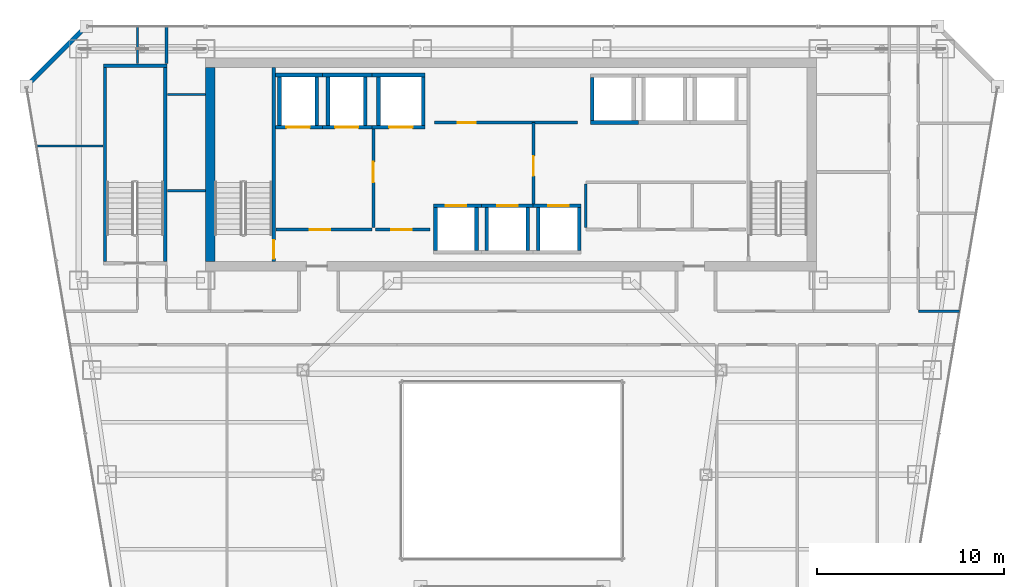
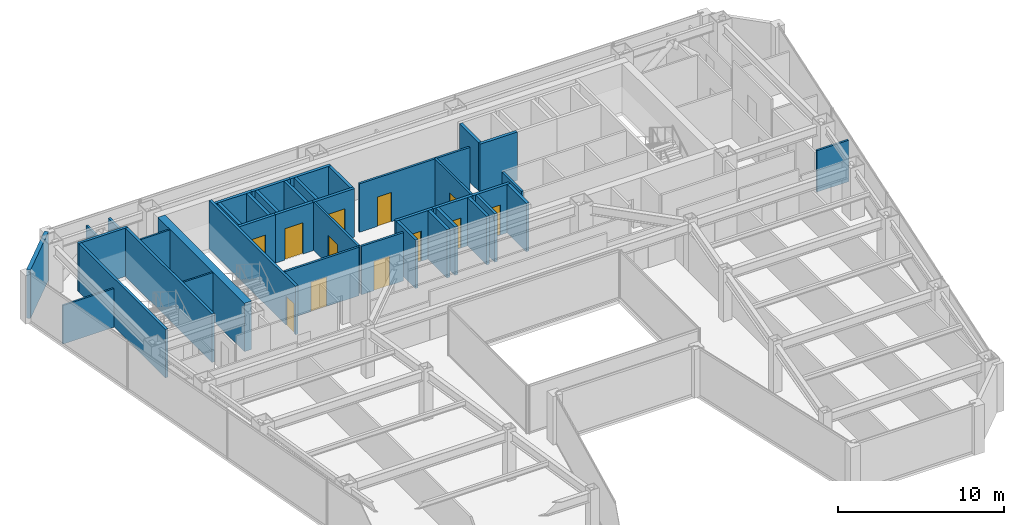
# One storey, part 30 of 35: 41 walls, 12 doors, 12 openings.
"""IFC4 building model written with IfcOpenShell, lengths in metres."""

from ifc_helpers import new_model, si_unit, direction, frame, frame_2d, origin, place, context, subcontext, project, spatial, rectangle, extrude, material, layer, layer_set, type_object, element, fill, save


model = new_model("IFC4")

# Units and contexts
model_context = context("Model", 3, precision=1e-05, world=origin(), true_north=direction((0.0, 1.0)))
body_context = subcontext(model_context, "Body", "Model", "MODEL_VIEW")
ifc_project = project(units=[si_unit("LENGTHUNIT", "METRE"), si_unit("AREAUNIT", "SQUARE_METRE"), si_unit("VOLUMEUNIT", "CUBIC_METRE"), si_unit("PLANEANGLEUNIT", "RADIAN"), si_unit("MASSUNIT", "GRAM", prefix="KILO")], contexts=[model_context])

# Site, building, storey
site_placement = place(None, origin())
site = spatial("IfcSite", under=ifc_project, at=site_placement, CompositionType="ELEMENT")
building_placement = place(site_placement, origin())
building = spatial("IfcBuilding", under=site, at=building_placement, Name="Saevonmaru Cultural Tower", CompositionType="ELEMENT")
storey_placement = place(building_placement, frame((0.0, 0.0, 175.199951171875)))
storey = spatial("IfcBuildingStorey", under=building, at=storey_placement, Name="L39", CompositionType="ELEMENT", Elevation=175.199951171875)

# Wall
ifc_material_1 = material(Name="Concrete C60/75", Category="concrete")
ifc_layer_1 = layer(ifc_material_1, 0.5, Name="Concrete C60/75")
ifc_layer_set_1 = layer_set([ifc_layer_1], Name="Concrete C60/75")
wall_type_1 = type_object("IfcWallType", Name="WL-CORE-500", PredefinedType="SHEAR", material=ifc_layer_set_1)
wall_1_placement = place(storey_placement, frame((13.85009765625, 43.39990234375, 0.0), z_axis=(0.0, 0.0, 1.0), x_axis=(0.0, 1.0, 0.0)))
element("IfcWall", 1, at=wall_1_placement, inside=storey, type_object=wall_type_1, Name="L39 Tower RC core shear wall W", PredefinedType="SHEAR", context=body_context, shape_type="SweptSolid", body=[
    extrude(rectangle(XDim=10.400146484375, YDim=0.5, at=frame_2d((5.2001953125, 0.0))), origin(), (0.0, 0.0, 1.0), 3.550048828125),
])

# Wall, opening, door
ifc_material_2 = material(Name="Gypsum Fireboard Partition", Category="gypsum")
ifc_layer_2 = layer(ifc_material_2, 0.14990234375, Name="Gypsum Fireboard Partition")
ifc_layer_set_2 = layer_set([ifc_layer_2], Name="Gypsum Fireboard Partition")
wall_type_2 = type_object("IfcWallType", Name="WL-CORE-PART-150", PredefinedType="PARTITIONING", material=ifc_layer_set_2)
wall_2_placement = place(storey_placement, frame((17.360107421875, 45.1201171875, 0.0), z_axis=(0.0, 0.0, 1.0), x_axis=(1.0, 0.0, 0.0)))
wall_2 = element("IfcWall", 2, at=wall_2_placement, inside=storey, type_object=wall_type_2, Name="L39 Firefighting Lift Lobby South Wall", PredefinedType="PARTITIONING", context=body_context, shape_type="SweptSolid", body=[
    extrude(rectangle(XDim=5.139892578125, YDim=0.14990234375, at=frame_2d((2.56982421875, 0.0))), origin(), (0.0, 0.0, 1.0), 3.550048828125),
])
opening_1_placement = place(wall_2_placement, frame((1.800048828125, 0.0, 0.0)))
opening_1 = element("IfcOpeningElement", 3, at=opening_1_placement, cuts=wall_2, Name="Opening FD-2", PredefinedType="OPENING", context=body_context, shape_type="SweptSolid", body=[
    extrude(rectangle(XDim=1.10009765625, YDim=2.14990234375, at=frame_2d((0.550048828125, 1.074951171875))), frame((0.0, 0.0849609375, 0.0), z_axis=(0.0, -1.0, 0.0), x_axis=(1.0, 0.0, 0.0)), (0.0, 0.0, 1.0), 0.169921875),
])
ifc_material_3 = material(Name="Satin Bronze Anodised Aluminium", Category="aluminium")
door_type_1 = type_object("IfcDoorType", Name="DR-FD60-1100", OperationType="SINGLE_SWING_LEFT", PredefinedType="DOOR", material=ifc_material_3)
door_1_placement = place(opening_1_placement, origin())
door_1 = element("IfcDoor", 4, at=door_1_placement, inside=storey, type_object=door_type_1, Name="L39 Firefighting Lift Lobby South Door", OperationType="SINGLE_SWING_LEFT", OverallHeight=2.14990234375, OverallWidth=1.10009765625, PredefinedType="DOOR", context=body_context, shape_type="SweptSolid", body=[
    extrude(rectangle(XDim=1.10009765625, YDim=2.14990234375, at=frame_2d((0.550048828125, 1.074951171875))), frame((0.0, 0.02490234375, 0.0), z_axis=(0.0, -1.0, 0.0), x_axis=(1.0, 0.0, 0.0)), (0.0, 0.0, 1.0), 0.050048828125),
])
fill(opening_1, door_1)

wall_3_placement = place(storey_placement, frame((22.580078125, 50.550048828125, 0.0), z_axis=(0.0, 0.0, 1.0), x_axis=(0.0, -1.0, 0.0)))
wall_3 = element("IfcWall", 5, at=wall_3_placement, inside=storey, type_object=wall_type_2, Name="L39 Firefighting Lift Lobby East Wall", PredefinedType="PARTITIONING", context=body_context, shape_type="SweptSolid", body=[
    extrude(rectangle(XDim=5.330078125, YDim=0.14990234375, at=frame_2d((2.6650390625, 0.0))), origin(), (0.0, 0.0, 1.0), 3.550048828125),
])
opening_2_placement = place(wall_3_placement, frame((1.800048828125, 0.0, 0.0)))
opening_2 = element("IfcOpeningElement", 6, at=opening_2_placement, cuts=wall_3, Name="Opening FD-2", PredefinedType="OPENING", context=body_context, shape_type="SweptSolid", body=[
    extrude(rectangle(XDim=1.10009765625, YDim=2.14990234375, at=frame_2d((0.550048828125, 1.074951171875))), frame((0.0, 0.0849609375, 0.0), z_axis=(0.0, -1.0, 0.0), x_axis=(1.0, 0.0, 0.0)), (0.0, 0.0, 1.0), 0.169921875),
])
door_2_placement = place(opening_2_placement, origin())
door_2 = element("IfcDoor", 7, at=door_2_placement, inside=storey, type_object=door_type_1, Name="L39 Firefighting Lift Lobby East Door", OperationType="SINGLE_SWING_LEFT", OverallHeight=2.14990234375, OverallWidth=1.10009765625, PredefinedType="DOOR", context=body_context, shape_type="SweptSolid", body=[
    extrude(rectangle(XDim=1.10009765625, YDim=2.14990234375, at=frame_2d((0.550048828125, 1.074951171875))), frame((0.0, 0.02490234375, 0.0), z_axis=(0.0, -1.0, 0.0), x_axis=(1.0, 0.0, 0.0)), (0.0, 0.0, 1.0), 0.050048828125),
])
fill(opening_2, door_2)

wall_4_placement = place(storey_placement, frame((22.679931640625, 45.1201171875, 0.0), z_axis=(0.0, 0.0, 1.0), x_axis=(1.0, 0.0, 0.0)))
wall_4 = element("IfcWall", 8, at=wall_4_placement, inside=storey, type_object=wall_type_2, Name="L39 Service Lift Vestibule Wall", PredefinedType="PARTITIONING", context=body_context, shape_type="SweptSolid", body=[
    extrude(rectangle(XDim=2.920166015625, YDim=0.14990234375, at=frame_2d((1.4599609375, 0.0))), origin(), (0.0, 0.0, 1.0), 3.550048828125),
])
opening_3_placement = place(wall_4_placement, frame((0.85009765625, 0.0, 0.0)))
opening_3 = element("IfcOpeningElement", 9, at=opening_3_placement, cuts=wall_4, Name="Opening FD-2", PredefinedType="OPENING", context=body_context, shape_type="SweptSolid", body=[
    extrude(rectangle(XDim=1.10009765625, YDim=2.14990234375, at=frame_2d((0.550048828125, 1.074951171875))), frame((0.0, 0.0849609375, 0.0), z_axis=(0.0, -1.0, 0.0), x_axis=(1.0, 0.0, 0.0)), (0.0, 0.0, 1.0), 0.169921875),
])
door_3_placement = place(opening_3_placement, origin())
door_3 = element("IfcDoor", 10, at=door_3_placement, inside=storey, type_object=door_type_1, Name="L39 Service Lift Vestibule Door", OperationType="SINGLE_SWING_LEFT", OverallHeight=2.14990234375, OverallWidth=1.10009765625, PredefinedType="DOOR", context=body_context, shape_type="SweptSolid", body=[
    extrude(rectangle(XDim=1.10009765625, YDim=2.14990234375, at=frame_2d((0.550048828125, 1.074951171875))), frame((0.0, 0.02490234375, 0.0), z_axis=(0.0, -1.0, 0.0), x_axis=(1.0, 0.0, 0.0)), (0.0, 0.0, 1.0), 0.050048828125),
])
fill(opening_3, door_3)

wall_5_placement = place(storey_placement, frame((31.14990234375, 46.5, 0.0), z_axis=(0.0, 0.0, 1.0), x_axis=(0.0, 1.0, 0.0)))
wall_5 = element("IfcWall", 11, at=wall_5_placement, inside=storey, type_object=wall_type_2, Name="L39 Lift Zone Baffle 1", PredefinedType="PARTITIONING", context=body_context, shape_type="SweptSolid", body=[
    extrude(rectangle(XDim=4.35009765625, YDim=0.14990234375, at=frame_2d((2.175048828125, 0.0))), origin(), (0.0, 0.0, 1.0), 3.550048828125),
])
opening_4_placement = place(wall_5_placement, frame((1.5, 0.0, 0.0)))
opening_4 = element("IfcOpeningElement", 12, at=opening_4_placement, cuts=wall_5, Name="Opening ID-1", PredefinedType="OPENING", context=body_context, shape_type="SweptSolid", body=[
    extrude(rectangle(XDim=1.050048828125, YDim=2.14990234375, at=frame_2d((0.52490234375, 1.074951171875))), frame((0.0, 0.0849609375, 0.0), z_axis=(0.0, -1.0, 0.0), x_axis=(1.0, 0.0, 0.0)), (0.0, 0.0, 1.0), 0.169921875),
])
door_type_2 = type_object("IfcDoorType", Name="DR-INT-1050", OperationType="SINGLE_SWING_LEFT", PredefinedType="DOOR", material=ifc_material_3)
door_4_placement = place(opening_4_placement, origin())
door_4 = element("IfcDoor", 13, at=door_4_placement, inside=storey, type_object=door_type_2, Name="L39 West-Mid Lobby Portal", OperationType="SINGLE_SWING_LEFT", OverallHeight=2.14990234375, OverallWidth=1.050048828125, PredefinedType="DOOR", context=body_context, shape_type="SweptSolid", body=[
    extrude(rectangle(XDim=1.050048828125, YDim=2.14990234375, at=frame_2d((0.52490234375, 1.074951171875))), frame((0.0, 0.02490234375, 0.0), z_axis=(0.0, -1.0, 0.0), x_axis=(1.0, 0.0, 0.0)), (0.0, 0.0, 1.0), 0.050048828125),
])
fill(opening_4, door_4)

# Wall
wall_6_placement = place(storey_placement, frame((33.949951171875, 45.219970703125, 0.0), z_axis=(0.0, 0.0, 1.0), x_axis=(0.0, 1.0, 0.0)))
element("IfcWall", 14, at=wall_6_placement, inside=storey, type_object=wall_type_2, Name="L39 Core Utility West Wall", PredefinedType="PARTITIONING", context=body_context, shape_type="SweptSolid", body=[
    extrude(rectangle(XDim=2.330078125, YDim=0.14990234375, at=frame_2d((1.1650390625, 0.0))), origin(), (0.0, 0.0, 1.0), 3.550048828125),
])

# Wall, opening, door
wall_7_placement = place(storey_placement, frame((25.85009765625, 50.85009765625, 0.0), z_axis=(0.0, 0.0, 1.0), x_axis=(1.0, 0.0, 0.0)))
wall_7 = element("IfcWall", 15, at=wall_7_placement, inside=storey, type_object=wall_type_2, Name="L39 Reclaimed Core Room South Wall", PredefinedType="PARTITIONING", context=body_context, shape_type="SweptSolid", body=[
    extrude(rectangle(XDim=7.64990234375, YDim=0.14990234375, at=frame_2d((3.824951171875, 0.0))), origin(), (0.0, 0.0, 1.0), 3.550048828125),
])
opening_5_placement = place(wall_7_placement, frame((1.25, 0.0, 0.0)))
opening_5 = element("IfcOpeningElement", 16, at=opening_5_placement, cuts=wall_7, Name="Opening FD-4", PredefinedType="OPENING", context=body_context, shape_type="SweptSolid", body=[
    extrude(rectangle(XDim=0.949951171875, YDim=2.14990234375, at=frame_2d((0.47509765625, 1.074951171875))), frame((0.0, 0.0849609375, 0.0), z_axis=(0.0, -1.0, 0.0), x_axis=(1.0, 0.0, 0.0)), (0.0, 0.0, 1.0), 0.169921875),
])
door_type_3 = type_object("IfcDoorType", Name="DR-FD60-950", OperationType="SINGLE_SWING_LEFT", PredefinedType="DOOR", material=ifc_material_3)
door_5_placement = place(opening_5_placement, origin())
door_5 = element("IfcDoor", 17, at=door_5_placement, inside=storey, type_object=door_type_3, Name="L39 Reclaimed Archive Vault Door", OperationType="SINGLE_SWING_LEFT", OverallHeight=2.14990234375, OverallWidth=0.949951171875, PredefinedType="DOOR", context=body_context, shape_type="SweptSolid", body=[
    extrude(rectangle(XDim=0.949951171875, YDim=2.14990234375, at=frame_2d((0.47509765625, 1.074951171875))), frame((0.0, 0.02490234375, 0.0), z_axis=(0.0, -1.0, 0.0), x_axis=(1.0, 0.0, 0.0)), (0.0, 0.0, 1.0), 0.050048828125),
])
fill(opening_5, door_5)

# Walls
ifc_material_4 = material(Name="Granite-Clad Precast Concrete C40/50", Category="masonry")
ifc_layer_3 = layer(ifc_material_4, 0.260009765625, Name="Granite-Clad Precast Concrete C40/50")
ifc_layer_set_3 = layer_set([ifc_layer_3], Name="Granite-Clad Precast Concrete C40/50")
wall_type_3 = type_object("IfcWallType", Name="WL-EXT-SPANDREL-260", PredefinedType="STANDARD", material=ifc_layer_set_3)
wall_8_placement = place(storey_placement, frame((7.0869140625, 55.886962890625, 0.0), z_axis=(0.0, 0.0, 1.0), x_axis=(-0.707106781187, -0.707106781187, 0.0)))
element("IfcWall", 18, at=wall_8_placement, inside=storey, type_object=wall_type_3, Name="L39 Chamfer Corner Spandrel Wall E11", PredefinedType="STANDARD", context=body_context, shape_type="SweptSolid", body=[
    extrude(rectangle(XDim=4.205810546875, YDim=0.260009765625, at=frame_2d((2.10302734375, 0.0))), origin(), (0.0, 0.0, 1.0), 3.550048828125),
])
ifc_layer_4 = layer(ifc_material_2, 0.14990234375, Name="Gypsum Fireboard Partition")
ifc_layer_set_4 = layer_set([ifc_layer_4], Name="Gypsum Fireboard Partition")
wall_type_4 = type_object("IfcWallType", Name="WL-PART-FIRE-150", PredefinedType="PARTITIONING", material=ifc_layer_set_4)
wall_9_placement = place(storey_placement, frame((11.5, 54.0, 0.0), z_axis=(0.0, 0.0, 1.0), x_axis=(0.0, 1.0, 0.0)))
element("IfcWall", 19, at=wall_9_placement, inside=storey, type_object=wall_type_4, Name="L39 Media Screening Auditorium Corridor Wall", PredefinedType="PARTITIONING", context=body_context, shape_type="SweptSolid", body=[
    extrude(rectangle(XDim=1.9951171875, YDim=0.14990234375, at=frame_2d((0.99755859375, 0.0))), origin(), (0.0, 0.0, 1.0), 2.93505859375),
])
ifc_layer_5 = layer(ifc_material_2, 0.1201171875, Name="Gypsum Fireboard Partition")
ifc_layer_set_5 = layer_set([ifc_layer_5], Name="Gypsum Fireboard Partition")
wall_type_5 = type_object("IfcWallType", Name="WL-PART-GYP-120", PredefinedType="PARTITIONING", material=ifc_layer_set_5)
wall_10_placement = place(storey_placement, frame((11.550048828125, 52.35009765625, 0.0), z_axis=(0.0, 0.0, 1.0), x_axis=(1.0, 0.0, 0.0)))
element("IfcWall", 20, at=wall_10_placement, inside=storey, type_object=wall_type_5, Name="L39 North-West Panorama South Wall", PredefinedType="PARTITIONING", context=body_context, shape_type="SweptSolid", body=[
    extrude(rectangle(XDim=2.030029296875, YDim=0.1201171875, at=frame_2d((1.01513671875, 0.0))), origin(), (0.0, 0.0, 1.0), 3.550048828125),
])
wall_11_placement = place(storey_placement, frame((4.546875, 49.60009765625, 0.0), z_axis=(0.0, 0.0, 1.0), x_axis=(1.0, 0.0, 0.0)))
element("IfcWall", 21, at=wall_11_placement, inside=storey, type_object=wall_type_5, Name="L39 NW Studio Divider 1", PredefinedType="PARTITIONING", context=body_context, shape_type="SweptSolid", body=[
    extrude(rectangle(XDim=3.55322265625, YDim=0.1201171875, at=frame_2d((1.776611328125, 0.0))), origin(), (0.0, 0.0, 1.0), 2.8349609375),
])
wall_12_placement = place(storey_placement, frame((9.949951171875, 54.0, 0.0), z_axis=(0.0, 0.0, 1.0), x_axis=(0.0, 1.0, 0.0)))
element("IfcWall", 22, at=wall_12_placement, inside=storey, type_object=wall_type_5, Name="L39 Design Seminar Classroom Corridor Wall", PredefinedType="PARTITIONING", context=body_context, shape_type="SweptSolid", body=[
    extrude(rectangle(XDim=1.9951171875, YDim=0.1201171875, at=frame_2d((0.99755859375, 0.0))), origin(), (0.0, 0.0, 1.0), 2.93505859375),
])
wall_13_placement = place(storey_placement, frame((11.550048828125, 47.199951171875, 0.0), z_axis=(0.0, 0.0, 1.0), x_axis=(1.0, 0.0, 0.0)))
element("IfcWall", 23, at=wall_13_placement, inside=storey, type_object=wall_type_5, Name="L39 NW Inner Divider", PredefinedType="PARTITIONING", context=body_context, shape_type="SweptSolid", body=[
    extrude(rectangle(XDim=2.030029296875, YDim=0.1201171875, at=frame_2d((1.01513671875, 0.0))), origin(), (0.0, 0.0, 1.0), 3.550048828125),
])
ifc_layer_6 = layer(ifc_material_2, 0.135009765625, Name="Gypsum Fireboard Partition")
ifc_layer_set_6 = layer_set([ifc_layer_6], Name="Gypsum Fireboard Partition")
wall_type_6 = type_object("IfcWallType", Name="WL-PART-GYP-135", PredefinedType="PARTITIONING", material=ifc_layer_set_6)
wall_14_placement = place(storey_placement, frame((51.75, 40.75, 0.0), z_axis=(0.0, 0.0, 1.0), x_axis=(1.0, 0.0, 0.0)))
element("IfcWall", 24, at=wall_14_placement, inside=storey, type_object=wall_type_6, Name="L39 NE Wing South Wall", PredefinedType="PARTITIONING", context=body_context, shape_type="SweptSolid", body=[
    extrude(rectangle(XDim=2.204833984375, YDim=0.135009765625, at=frame_2d((1.1025390625, 0.0))), origin(), (0.0, 0.0, 1.0), 3.03515625),
])

# Wall, opening, door
ifc_material_5 = material(Name="Concrete C40/50", Category="concrete")
ifc_layer_7 = layer(ifc_material_5, 0.199951171875, Name="Concrete C40/50")
ifc_layer_set_7 = layer_set([ifc_layer_7], Name="Concrete C40/50")
wall_type_7 = type_object("IfcWallType", Name="WL-SHAFT-200", PredefinedType="SHEAR", material=ifc_layer_set_7)
wall_15_placement = place(storey_placement, frame((17.330078125, 50.60009765625, 0.0), z_axis=(0.0, 0.0, 1.0), x_axis=(1.0, 0.0, 0.0)))
wall_15 = element("IfcWall", 25, at=wall_15_placement, inside=storey, type_object=wall_type_7, Name="L39 Lift FFL-1 Hoistway Wall S", PredefinedType="SHEAR", context=body_context, shape_type="SweptSolid", body=[
    extrude(rectangle(XDim=2.52001953125, YDim=0.199951171875, at=frame_2d((1.260009765625, 0.0))), origin(), (0.0, 0.0, 1.0), 3.550048828125),
])
opening_6_placement = place(wall_15_placement, frame((0.594970703125, 0.0, 0.0)))
opening_6 = element("IfcOpeningElement", 26, at=opening_6_placement, cuts=wall_15, Name="Opening LD-2", PredefinedType="OPENING", context=body_context, shape_type="SweptSolid", body=[
    extrude(rectangle(XDim=1.25, YDim=2.300048828125, at=frame_2d((0.625, 1.14990234375))), frame((0.0, 0.10986328125, 0.0), z_axis=(0.0, -1.0, 0.0), x_axis=(1.0, 0.0, 0.0)), (0.0, 0.0, 1.0), 0.219970703125),
])
ifc_material_6 = material(Name="Stainless Steel 316", Category="steel")
door_type_4 = type_object("IfcDoorType", Name="DR-LIFT-1250", OperationType="SLIDING_TO_LEFT", PredefinedType="DOOR", material=ifc_material_6)
door_6_placement = place(opening_6_placement, origin())
door_6 = element("IfcDoor", 27, at=door_6_placement, inside=storey, type_object=door_type_4, Name="L39 Lift FFL-1 Sliding Landing Door", OperationType="SLIDING_TO_LEFT", OverallHeight=2.300048828125, OverallWidth=1.25, PredefinedType="DOOR", context=body_context, shape_type="SweptSolid", body=[
    extrude(rectangle(XDim=1.25, YDim=2.300048828125, at=frame_2d((0.625, 1.14990234375))), frame((0.0, 0.02490234375, 0.0), z_axis=(0.0, -1.0, 0.0), x_axis=(1.0, 0.0, 0.0)), (0.0, 0.0, 1.0), 0.050048828125),
])
fill(opening_6, door_6)

# Walls
wall_16_placement = place(storey_placement, frame((17.330078125, 53.39990234375, 0.0), z_axis=(0.0, 0.0, 1.0), x_axis=(1.0, 0.0, 0.0)))
element("IfcWall", 28, at=wall_16_placement, inside=storey, type_object=wall_type_7, Name="L39 Lift FFL-1 Hoistway Wall N", PredefinedType="SHEAR", context=body_context, shape_type="SweptSolid", body=[
    extrude(rectangle(XDim=2.52001953125, YDim=0.199951171875, at=frame_2d((1.260009765625, 0.0))), origin(), (0.0, 0.0, 1.0), 3.550048828125),
])
for number, where, z_axis, x_axis, name in (
    (29, (17.550048828125, 50.699951171875, 0.0), (0.0, 0.0, 1.0), (0.0, 1.0, 0.0), "L39 Lift FFL-1 Hoistway Wall W"),
    (30, (19.550048828125, 50.699951171875, 0.0), (0.0, 0.0, 1.0), (0.0, 1.0, 0.0), "L39 Lift FFL-1 Hoistway Wall E"),
):
    element("IfcWall", number, at=place(storey_placement, frame(where, z_axis=z_axis, x_axis=x_axis)), inside=storey, type_object=wall_type_7, Name=name, PredefinedType="SHEAR", context=body_context, shape_type="SweptSolid", body=[
        extrude(rectangle(XDim=2.60009765625, YDim=0.199951171875, at=frame_2d((1.300048828125, 0.0))), origin(), (0.0, 0.0, 1.0), 3.550048828125),
    ])

# Wall, opening, door
wall_17_placement = place(storey_placement, frame((19.85009765625, 50.60009765625, 0.0), z_axis=(0.0, 0.0, 1.0), x_axis=(1.0, 0.0, 0.0)))
wall_17 = element("IfcWall", 31, at=wall_17_placement, inside=storey, type_object=wall_type_7, Name="L39 Lift FFL-2 Hoistway Wall S", PredefinedType="SHEAR", context=body_context, shape_type="SweptSolid", body=[
    extrude(rectangle(XDim=2.64990234375, YDim=0.199951171875, at=frame_2d((1.324951171875, 0.0))), origin(), (0.0, 0.0, 1.0), 3.550048828125),
])
opening_7_placement = place(wall_17_placement, frame((0.675048828125, 0.0, 0.0)))
opening_7 = element("IfcOpeningElement", 32, at=opening_7_placement, cuts=wall_17, Name="Opening LD-2", PredefinedType="OPENING", context=body_context, shape_type="SweptSolid", body=[
    extrude(rectangle(XDim=1.25, YDim=2.300048828125, at=frame_2d((0.625, 1.14990234375))), frame((0.0, 0.10986328125, 0.0), z_axis=(0.0, -1.0, 0.0), x_axis=(1.0, 0.0, 0.0)), (0.0, 0.0, 1.0), 0.219970703125),
])
door_7_placement = place(opening_7_placement, origin())
door_7 = element("IfcDoor", 33, at=door_7_placement, inside=storey, type_object=door_type_4, Name="L39 Lift FFL-2 Sliding Landing Door", OperationType="SLIDING_TO_LEFT", OverallHeight=2.300048828125, OverallWidth=1.25, PredefinedType="DOOR", context=body_context, shape_type="SweptSolid", body=[
    extrude(rectangle(XDim=1.25, YDim=2.300048828125, at=frame_2d((0.625, 1.14990234375))), frame((0.0, 0.02490234375, 0.0), z_axis=(0.0, -1.0, 0.0), x_axis=(1.0, 0.0, 0.0)), (0.0, 0.0, 1.0), 0.050048828125),
])
fill(opening_7, door_7)

# Walls
wall_18_placement = place(storey_placement, frame((19.85009765625, 53.39990234375, 0.0), z_axis=(0.0, 0.0, 1.0), x_axis=(1.0, 0.0, 0.0)))
element("IfcWall", 34, at=wall_18_placement, inside=storey, type_object=wall_type_7, Name="L39 Lift FFL-2 Hoistway Wall N", PredefinedType="SHEAR", context=body_context, shape_type="SweptSolid", body=[
    extrude(rectangle(XDim=2.64990234375, YDim=0.199951171875, at=frame_2d((1.324951171875, 0.0))), origin(), (0.0, 0.0, 1.0), 3.550048828125),
])
for number, where, z_axis, x_axis, name in (
    (35, (20.14990234375, 50.699951171875, 0.0), (0.0, 0.0, 1.0), (0.0, 1.0, 0.0), "L39 Lift FFL-2 Hoistway Wall W"),
    (36, (22.14990234375, 50.699951171875, 0.0), (0.0, 0.0, 1.0), (0.0, 1.0, 0.0), "L39 Lift FFL-2 Hoistway Wall E"),
):
    element("IfcWall", number, at=place(storey_placement, frame(where, z_axis=z_axis, x_axis=x_axis)), inside=storey, type_object=wall_type_7, Name=name, PredefinedType="SHEAR", context=body_context, shape_type="SweptSolid", body=[
        extrude(rectangle(XDim=2.60009765625, YDim=0.199951171875, at=frame_2d((1.300048828125, 0.0))), origin(), (0.0, 0.0, 1.0), 3.550048828125),
    ])

# Wall, opening, door
wall_19_placement = place(storey_placement, frame((22.5, 50.60009765625, 0.0), z_axis=(0.0, 0.0, 1.0), x_axis=(1.0, 0.0, 0.0)))
wall_19 = element("IfcWall", 37, at=wall_19_placement, inside=storey, type_object=wall_type_7, Name="L39 Lift GL-1 Hoistway Wall S", PredefinedType="SHEAR", context=body_context, shape_type="SweptSolid", body=[
    extrude(rectangle(XDim=2.85009765625, YDim=0.199951171875, at=frame_2d((1.425048828125, 0.0))), origin(), (0.0, 0.0, 1.0), 3.550048828125),
])
opening_8_placement = place(wall_19_placement, frame((0.925048828125, 0.0, 0.0)))
opening_8 = element("IfcOpeningElement", 38, at=opening_8_placement, cuts=wall_19, Name="Opening LD-2", PredefinedType="OPENING", context=body_context, shape_type="SweptSolid", body=[
    extrude(rectangle(XDim=1.25, YDim=2.300048828125, at=frame_2d((0.625, 1.14990234375))), frame((0.0, 0.10986328125, 0.0), z_axis=(0.0, -1.0, 0.0), x_axis=(1.0, 0.0, 0.0)), (0.0, 0.0, 1.0), 0.219970703125),
])
door_8_placement = place(opening_8_placement, origin())
door_8 = element("IfcDoor", 39, at=door_8_placement, inside=storey, type_object=door_type_4, Name="L39 Lift GL-1 Sliding Landing Door", OperationType="SLIDING_TO_LEFT", OverallHeight=2.300048828125, OverallWidth=1.25, PredefinedType="DOOR", context=body_context, shape_type="SweptSolid", body=[
    extrude(rectangle(XDim=1.25, YDim=2.300048828125, at=frame_2d((0.625, 1.14990234375))), frame((0.0, 0.02490234375, 0.0), z_axis=(0.0, -1.0, 0.0), x_axis=(1.0, 0.0, 0.0)), (0.0, 0.0, 1.0), 0.050048828125),
])
fill(opening_8, door_8)

# Walls
wall_20_placement = place(storey_placement, frame((22.5, 53.39990234375, 0.0), z_axis=(0.0, 0.0, 1.0), x_axis=(1.0, 0.0, 0.0)))
element("IfcWall", 40, at=wall_20_placement, inside=storey, type_object=wall_type_7, Name="L39 Lift GL-1 Hoistway Wall N", PredefinedType="SHEAR", context=body_context, shape_type="SweptSolid", body=[
    extrude(rectangle(XDim=2.85009765625, YDim=0.199951171875, at=frame_2d((1.425048828125, 0.0))), origin(), (0.0, 0.0, 1.0), 3.550048828125),
])
for number, where, z_axis, x_axis, name in (
    (41, (22.85009765625, 50.699951171875, 0.0), (0.0, 0.0, 1.0), (0.0, 1.0, 0.0), "L39 Lift GL-1 Hoistway Wall W"),
    (42, (25.25, 50.699951171875, 0.0), (0.0, 0.0, 1.0), (0.0, 1.0, 0.0), "L39 Lift GL-1 Hoistway Wall E"),
):
    element("IfcWall", number, at=place(storey_placement, frame(where, z_axis=z_axis, x_axis=x_axis)), inside=storey, type_object=wall_type_7, Name=name, PredefinedType="SHEAR", context=body_context, shape_type="SweptSolid", body=[
        extrude(rectangle(XDim=2.60009765625, YDim=0.199951171875, at=frame_2d((1.300048828125, 0.0))), origin(), (0.0, 0.0, 1.0), 3.550048828125),
    ])

# Wall, opening, door
wall_21_placement = place(storey_placement, frame((25.800048828125, 46.39990234375, 0.0), z_axis=(0.0, 0.0, 1.0), x_axis=(1.0, 0.0, 0.0)))
wall_21 = element("IfcWall", 43, at=wall_21_placement, inside=storey, type_object=wall_type_7, Name="L39 Lift PL-M1 Hoistway Wall N", PredefinedType="SHEAR", context=body_context, shape_type="SweptSolid", body=[
    extrude(rectangle(XDim=2.574951171875, YDim=0.199951171875, at=frame_2d((1.28759765625, 0.0))), origin(), (0.0, 0.0, 1.0), 3.550048828125),
])
opening_9_placement = place(wall_21_placement, frame((0.64990234375, 0.0, 0.0)))
opening_9 = element("IfcOpeningElement", 44, at=opening_9_placement, cuts=wall_21, Name="Opening LD-1", PredefinedType="OPENING", context=body_context, shape_type="SweptSolid", body=[
    extrude(rectangle(XDim=1.10009765625, YDim=2.199951171875, at=frame_2d((0.550048828125, 1.10009765625))), frame((0.0, 0.10986328125, 0.0), z_axis=(0.0, -1.0, 0.0), x_axis=(1.0, 0.0, 0.0)), (0.0, 0.0, 1.0), 0.219970703125),
])
ifc_material_7 = material(Name="Satin Bronze Stainless Steel", Category="steel")
door_type_5 = type_object("IfcDoorType", Name="DR-LIFT-1100", OperationType="SLIDING_TO_LEFT", PredefinedType="DOOR", material=ifc_material_7)
door_9_placement = place(opening_9_placement, origin())
door_9 = element("IfcDoor", 45, at=door_9_placement, inside=storey, type_object=door_type_5, Name="L39 Lift PL-M1 Sliding Landing Door", OperationType="SLIDING_TO_LEFT", OverallHeight=2.199951171875, OverallWidth=1.10009765625, PredefinedType="DOOR", context=body_context, shape_type="SweptSolid", body=[
    extrude(rectangle(XDim=1.10009765625, YDim=2.199951171875, at=frame_2d((0.550048828125, 1.10009765625))), frame((0.0, 0.02490234375, 0.0), z_axis=(0.0, -1.0, 0.0), x_axis=(1.0, 0.0, 0.0)), (0.0, 0.0, 1.0), 0.050048828125),
])
fill(opening_9, door_9)

# Walls
for number, where, z_axis, x_axis, name in (
    (46, (25.89990234375, 44.0, 0.0), (0.0, 0.0, 1.0), (0.0, 1.0, 0.0), "L39 Lift PL-M1 Hoistway Wall W"),
    (47, (28.10009765625, 44.0, 0.0), (0.0, 0.0, 1.0), (0.0, 1.0, 0.0), "L39 Lift PL-M1 Hoistway Wall E"),
):
    element("IfcWall", number, at=place(storey_placement, frame(where, z_axis=z_axis, x_axis=x_axis)), inside=storey, type_object=wall_type_7, Name=name, PredefinedType="SHEAR", context=body_context, shape_type="SweptSolid", body=[
        extrude(rectangle(XDim=2.300048828125, YDim=0.199951171875, at=frame_2d((1.14990234375, 0.0))), origin(), (0.0, 0.0, 1.0), 3.550048828125),
    ])

# Wall, opening, door
wall_22_placement = place(storey_placement, frame((28.375, 46.39990234375, 0.0), z_axis=(0.0, 0.0, 1.0), x_axis=(1.0, 0.0, 0.0)))
wall_22 = element("IfcWall", 48, at=wall_22_placement, inside=storey, type_object=wall_type_7, Name="L39 Lift PL-M2 Hoistway Wall N", PredefinedType="SHEAR", context=body_context, shape_type="SweptSolid", body=[
    extrude(rectangle(XDim=2.75, YDim=0.199951171875, at=frame_2d((1.375, 0.0))), origin(), (0.0, 0.0, 1.0), 3.550048828125),
])
opening_10_placement = place(wall_22_placement, frame((0.824951171875, 0.0, 0.0)))
opening_10 = element("IfcOpeningElement", 49, at=opening_10_placement, cuts=wall_22, Name="Opening LD-1", PredefinedType="OPENING", context=body_context, shape_type="SweptSolid", body=[
    extrude(rectangle(XDim=1.10009765625, YDim=2.199951171875, at=frame_2d((0.550048828125, 1.10009765625))), frame((0.0, 0.10986328125, 0.0), z_axis=(0.0, -1.0, 0.0), x_axis=(1.0, 0.0, 0.0)), (0.0, 0.0, 1.0), 0.219970703125),
])
door_10_placement = place(opening_10_placement, origin())
door_10 = element("IfcDoor", 50, at=door_10_placement, inside=storey, type_object=door_type_5, Name="L39 Lift PL-M2 Sliding Landing Door", OperationType="SLIDING_TO_LEFT", OverallHeight=2.199951171875, OverallWidth=1.10009765625, PredefinedType="DOOR", context=body_context, shape_type="SweptSolid", body=[
    extrude(rectangle(XDim=1.10009765625, YDim=2.199951171875, at=frame_2d((0.550048828125, 1.10009765625))), frame((0.0, 0.02490234375, 0.0), z_axis=(0.0, -1.0, 0.0), x_axis=(1.0, 0.0, 0.0)), (0.0, 0.0, 1.0), 0.050048828125),
])
fill(opening_10, door_10)

# Walls
for number, where, z_axis, x_axis, name in (
    (51, (28.64990234375, 44.0, 0.0), (0.0, 0.0, 1.0), (0.0, 1.0, 0.0), "L39 Lift PL-M2 Hoistway Wall W"),
    (52, (30.85009765625, 44.0, 0.0), (0.0, 0.0, 1.0), (0.0, 1.0, 0.0), "L39 Lift PL-M2 Hoistway Wall E"),
):
    element("IfcWall", number, at=place(storey_placement, frame(where, z_axis=z_axis, x_axis=x_axis)), inside=storey, type_object=wall_type_7, Name=name, PredefinedType="SHEAR", context=body_context, shape_type="SweptSolid", body=[
        extrude(rectangle(XDim=2.300048828125, YDim=0.199951171875, at=frame_2d((1.14990234375, 0.0))), origin(), (0.0, 0.0, 1.0), 3.550048828125),
    ])

# Wall, opening, door
wall_23_placement = place(storey_placement, frame((31.125, 46.39990234375, 0.0), z_axis=(0.0, 0.0, 1.0), x_axis=(1.0, 0.0, 0.0)))
wall_23 = element("IfcWall", 53, at=wall_23_placement, inside=storey, type_object=wall_type_7, Name="L39 Lift PL-M3 Hoistway Wall N", PredefinedType="SHEAR", context=body_context, shape_type="SweptSolid", body=[
    extrude(rectangle(XDim=2.574951171875, YDim=0.199951171875, at=frame_2d((1.28759765625, 0.0))), origin(), (0.0, 0.0, 1.0), 3.550048828125),
])
opening_11_placement = place(wall_23_placement, frame((0.824951171875, 0.0, 0.0)))
opening_11 = element("IfcOpeningElement", 54, at=opening_11_placement, cuts=wall_23, Name="Opening LD-1", PredefinedType="OPENING", context=body_context, shape_type="SweptSolid", body=[
    extrude(rectangle(XDim=1.10009765625, YDim=2.199951171875, at=frame_2d((0.550048828125, 1.10009765625))), frame((0.0, 0.10986328125, 0.0), z_axis=(0.0, -1.0, 0.0), x_axis=(1.0, 0.0, 0.0)), (0.0, 0.0, 1.0), 0.219970703125),
])
door_11_placement = place(opening_11_placement, origin())
door_11 = element("IfcDoor", 55, at=door_11_placement, inside=storey, type_object=door_type_5, Name="L39 Lift PL-M3 Sliding Landing Door", OperationType="SLIDING_TO_LEFT", OverallHeight=2.199951171875, OverallWidth=1.10009765625, PredefinedType="DOOR", context=body_context, shape_type="SweptSolid", body=[
    extrude(rectangle(XDim=1.10009765625, YDim=2.199951171875, at=frame_2d((0.550048828125, 1.10009765625))), frame((0.0, 0.02490234375, 0.0), z_axis=(0.0, -1.0, 0.0), x_axis=(1.0, 0.0, 0.0)), (0.0, 0.0, 1.0), 0.050048828125),
])
fill(opening_11, door_11)

# Walls
for number, where, z_axis, x_axis, name in (
    (56, (31.39990234375, 44.0, 0.0), (0.0, 0.0, 1.0), (0.0, 1.0, 0.0), "L39 Lift PL-M3 Hoistway Wall W"),
    (57, (33.60009765625, 44.0, 0.0), (0.0, 0.0, 1.0), (0.0, 1.0, 0.0), "L39 Lift PL-M3 Hoistway Wall E"),
):
    element("IfcWall", number, at=place(storey_placement, frame(where, z_axis=z_axis, x_axis=x_axis)), inside=storey, type_object=wall_type_7, Name=name, PredefinedType="SHEAR", context=body_context, shape_type="SweptSolid", body=[
        extrude(rectangle(XDim=2.300048828125, YDim=0.199951171875, at=frame_2d((1.14990234375, 0.0))), origin(), (0.0, 0.0, 1.0), 3.550048828125),
    ])
wall_24_placement = place(storey_placement, frame((34.199951171875, 50.85009765625, 0.0), z_axis=(0.0, 0.0, 1.0), x_axis=(1.0, 0.0, 0.0)))
element("IfcWall", 58, at=wall_24_placement, inside=storey, type_object=wall_type_7, Name="L39 Lift PL-H1 Hoistway Wall S", PredefinedType="SHEAR", context=body_context, shape_type="SweptSolid", body=[
    extrude(rectangle(XDim=2.574951171875, YDim=0.199951171875, at=frame_2d((1.28759765625, 0.0))), origin(), (0.0, 0.0, 1.0), 3.550048828125),
])
wall_25_placement = place(storey_placement, frame((34.300048828125, 50.949951171875, 0.0), z_axis=(0.0, 0.0, 1.0), x_axis=(0.0, 1.0, 0.0)))
element("IfcWall", 59, at=wall_25_placement, inside=storey, type_object=wall_type_7, Name="L39 Lift PL-H1 Hoistway Wall W", PredefinedType="SHEAR", context=body_context, shape_type="SweptSolid", body=[
    extrude(rectangle(XDim=2.300048828125, YDim=0.199951171875, at=frame_2d((1.14990234375, 0.0))), origin(), (0.0, 0.0, 1.0), 3.550048828125),
])

# Wall, opening, door
ifc_layer_8 = layer(ifc_material_5, 0.179931640625, Name="Concrete C40/50")
ifc_layer_set_8 = layer_set([ifc_layer_8], Name="Concrete C40/50")
wall_type_8 = type_object("IfcWallType", Name="WL-STSHAFT-180", PredefinedType="SHEAR", material=ifc_layer_set_8)
wall_26_placement = place(storey_placement, frame((17.239990234375, 43.39990234375, 0.0), z_axis=(0.0, 0.0, 1.0), x_axis=(0.0, 1.0, 0.0)))
wall_26 = element("IfcWall", 60, at=wall_26_placement, inside=storey, type_object=wall_type_8, Name="L39 Stair ST-1 Structural Shaft Wall 1", PredefinedType="SHEAR", context=body_context, shape_type="SweptSolid", body=[
    extrude(rectangle(XDim=10.400146484375, YDim=0.179931640625, at=frame_2d((5.2001953125, 0.0))), origin(), (0.0, 0.0, 1.0), 3.550048828125),
])
opening_12_placement = place(wall_26_placement, frame((0.159912109375, 0.0, 0.0)))
opening_12 = element("IfcOpeningElement", 61, at=opening_12_placement, cuts=wall_26, Name="Opening FD-3", PredefinedType="OPENING", context=body_context, shape_type="SweptSolid", body=[
    extrude(rectangle(XDim=1.0, YDim=2.14990234375, at=frame_2d((0.5, 1.074951171875))), frame((0.0, 0.10009765625, 0.0), z_axis=(0.0, -1.0, 0.0), x_axis=(1.0, 0.0, 0.0)), (0.0, 0.0, 1.0), 0.199951171875),
])
door_type_6 = type_object("IfcDoorType", Name="DR-FD60-1000", OperationType="SINGLE_SWING_RIGHT", PredefinedType="DOOR", material=ifc_material_3)
door_12_placement = place(opening_12_placement, origin())
door_12 = element("IfcDoor", 62, at=door_12_placement, inside=storey, type_object=door_type_6, Name="L39 Protected Stair ST-1 Fire Door", OperationType="SINGLE_SWING_RIGHT", OverallHeight=2.14990234375, OverallWidth=1.0, PredefinedType="DOOR", context=body_context, shape_type="SweptSolid", body=[
    extrude(rectangle(XDim=1.0, YDim=2.14990234375, at=frame_2d((0.5, 1.074951171875))), frame((0.0, 0.02490234375, 0.0), z_axis=(0.0, -1.0, 0.0), x_axis=(1.0, 0.0, 0.0)), (0.0, 0.0, 1.0), 0.050048828125),
])
fill(opening_12, door_12)

# Walls
wall_27_placement = place(storey_placement, frame((11.43994140625, 43.39990234375, 0.0), z_axis=(0.0, 0.0, 1.0), x_axis=(0.0, 1.0, 0.0)))
element("IfcWall", 63, at=wall_27_placement, inside=storey, type_object=wall_type_8, Name="L39 Stair ST-3 Structural Shaft Wall 2", PredefinedType="SHEAR", context=body_context, shape_type="SweptSolid", body=[
    extrude(rectangle(XDim=10.400146484375, YDim=0.179931640625, at=frame_2d((5.2001953125, 0.0))), origin(), (0.0, 0.0, 1.0), 3.550048828125),
])
wall_28_placement = place(storey_placement, frame((11.530029296875, 53.889892578125, 0.0), z_axis=(0.0, 0.0, 1.0), x_axis=(-1.0, 0.0, 0.0)))
element("IfcWall", 64, at=wall_28_placement, inside=storey, type_object=wall_type_8, Name="L39 Stair ST-3 Structural Shaft Wall 3", PredefinedType="SHEAR", context=body_context, shape_type="SweptSolid", body=[
    extrude(rectangle(XDim=3.409912109375, YDim=0.179931640625, at=frame_2d((1.705078125, 0.0))), origin(), (0.0, 0.0, 1.0), 3.550048828125),
])
wall_29_placement = place(storey_placement, frame((8.2099609375, 53.800048828125, 0.0), z_axis=(0.0, 0.0, 1.0), x_axis=(0.0, -1.0, 0.0)))
element("IfcWall", 65, at=wall_29_placement, inside=storey, type_object=wall_type_8, Name="L39 Stair ST-3 Structural Shaft Wall 4", PredefinedType="SHEAR", context=body_context, shape_type="SweptSolid", body=[
    extrude(rectangle(XDim=10.400146484375, YDim=0.179931640625, at=frame_2d((5.2001953125, 0.0))), origin(), (0.0, 0.0, 1.0), 3.550048828125),
])

save(model, "model.ifc")
